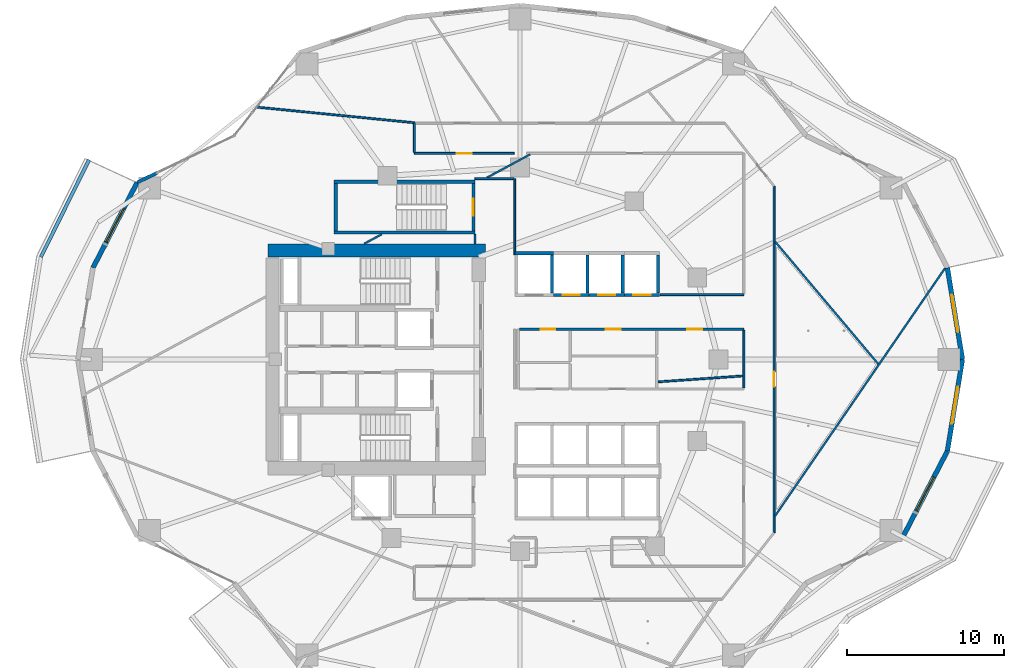
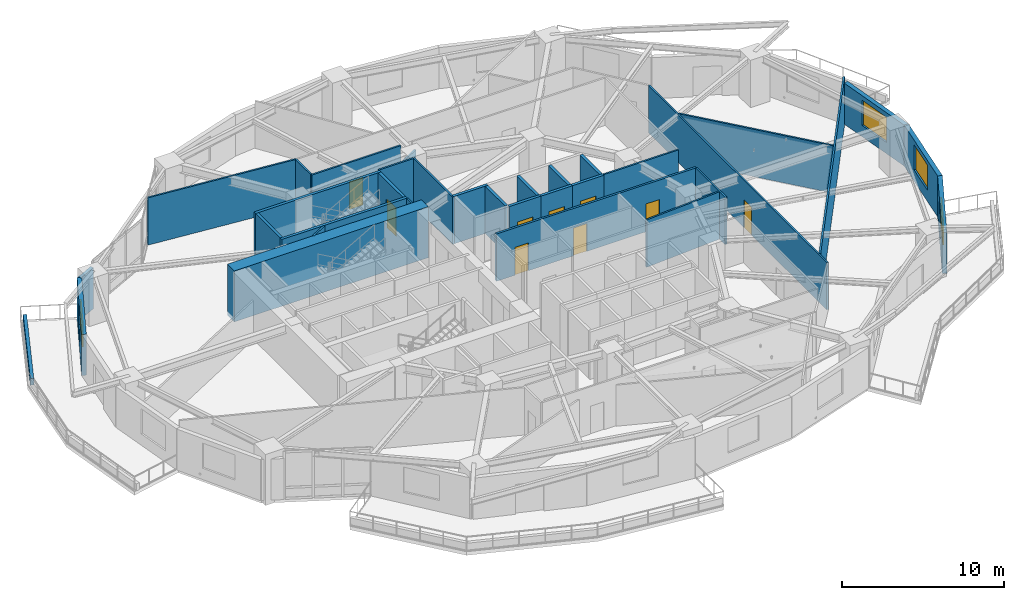
# One storey, part 9 of 19: 34 walls, 9 doors, 4 windows, 13 openings.
"""IFC4 building model written with IfcOpenShell, lengths in metres."""

from ifc_helpers import new_model, si_unit, direction, frame, frame_2d, origin, place, context, subcontext, project, spatial, rectangle, extrude, material, layer, layer_set, type_object, element, fill, save


model = new_model("IFC4")

# Units and contexts
model_context = context("Model", 3, precision=1e-05, world=origin(), true_north=direction((0.0, 1.0)))
body_context = subcontext(model_context, "Body", "Model", "MODEL_VIEW")
ifc_project = project(units=[si_unit("LENGTHUNIT", "METRE"), si_unit("AREAUNIT", "SQUARE_METRE"), si_unit("VOLUMEUNIT", "CUBIC_METRE"), si_unit("PLANEANGLEUNIT", "RADIAN"), si_unit("MASSUNIT", "GRAM", prefix="KILO")], contexts=[model_context])

# Site, building, storey
site_placement = place(None, origin())
site = spatial("IfcSite", under=ifc_project, at=site_placement, CompositionType="ELEMENT")
building_placement = place(site_placement, origin())
building = spatial("IfcBuilding", under=site, at=building_placement, Name="Kolvaren Gate Tower and Convention Centre", CompositionType="ELEMENT")
storey_placement = place(building_placement, frame((0.0, 0.0, 38.050048828125)))
storey = spatial("IfcBuildingStorey", under=building, at=storey_placement, Name="L08", CompositionType="ELEMENT", Elevation=38.050048828125)

# Walls
ifc_material_1 = material(Name="Fire-Rated Acoustic Gypsum Stud Partition", Category="gypsum")
ifc_layer_1 = layer(ifc_material_1, 0.1201171875)
ifc_layer_set_1 = layer_set([ifc_layer_1], Name="Fire-Rated Acoustic Gypsum Stud Partition")
wall_type_1 = type_object("IfcWallType", Name="ARCH-WL-PART-120", PredefinedType="PARTITIONING", material=ifc_layer_set_1)
wall_1_placement = place(storey_placement, frame((29.780029296875, 33.639892578125, 0.0), z_axis=(0.0, 0.0, 1.0), x_axis=(0.0, 1.0, 0.0)))
element("IfcWall", 1, at=wall_1_placement, inside=storey, type_object=wall_type_1, Name="Interior Partition WL-L08-INT-024", PredefinedType="PARTITIONING", context=body_context, shape_type="SweptSolid", body=[
    extrude(rectangle(XDim=4.860107421875, YDim=0.1201171875, at=frame_2d((2.43017578125, 0.0))), origin(), (0.0, 0.0, 1.0), 3.570068359375),
])
wall_2_placement = place(storey_placement, frame((39.02001953125, 31.1201171875, 0.0), z_axis=(0.0, 0.0, 1.0), x_axis=(1.0, 0.0, 0.0)))
element("IfcWall", 2, at=wall_2_placement, inside=storey, type_object=wall_type_1, Name="Interior Partition WL-L08-INT-025", PredefinedType="PARTITIONING", context=body_context, shape_type="SweptSolid", body=[
    extrude(rectangle(XDim=5.330078125, YDim=0.1201171875, at=frame_2d((2.6650390625, 0.0))), origin(), (0.0, 0.0, 1.0), 3.570068359375),
])
wall_3_placement = place(storey_placement, frame((44.35009765625, 25.197021484375, 0.0), z_axis=(0.0, 0.0, 1.0), x_axis=(0.0, 1.0, 0.0)))
element("IfcWall", 3, at=wall_3_placement, inside=storey, type_object=wall_type_1, Name="Interior Partition WL-L08-INT-027", PredefinedType="PARTITIONING", context=body_context, shape_type="SweptSolid", body=[
    extrude(rectangle(XDim=3.64599609375, YDim=0.1201171875, at=frame_2d((1.822998046875, 0.0))), origin(), (0.0, 0.0, 1.0), 3.570068359375),
])

# Wall, opening, door
wall_4_placement = place(storey_placement, frame((23.39990234375, 40.10009765625, 0.0), z_axis=(0.0, 0.0, 1.0), x_axis=(1.0, 0.0, 0.0)))
wall_4 = element("IfcWall", 4, at=wall_4_placement, inside=storey, type_object=wall_type_1, Name="Interior Partition WL-L08-INT-029", PredefinedType="PARTITIONING", context=body_context, shape_type="SweptSolid", body=[
    extrude(rectangle(XDim=6.335205078125, YDim=0.1201171875, at=frame_2d((3.16748046875, 0.0))), origin(), (0.0, 0.0, 1.0), 3.570068359375),
])
opening_1_placement = place(wall_4_placement, frame((2.6923828125, 0.0, 0.0)))
opening_1 = element("IfcOpeningElement", 5, at=opening_1_placement, cuts=wall_4, Name="Opening DR-01", PredefinedType="OPENING", context=body_context, shape_type="SweptSolid", body=[
    extrude(rectangle(XDim=0.949951171875, YDim=2.10009765625, at=frame_2d((0.47509765625, 1.050048828125))), frame((0.0, 0.070068359375, 0.0), z_axis=(0.0, -1.0, 0.0), x_axis=(1.0, 0.0, 0.0)), (0.0, 0.0, 1.0), 0.14013671875),
])
ifc_material_2 = material(Name="Painted Architectural Steelwork ASTM A500 Grade C 345 MPa", Category="steel")
door_type_1 = type_object("IfcDoorType", Name="ARCH-DR-RISER-950", OperationType="SINGLE_SWING_RIGHT", PredefinedType="DOOR", material=ifc_material_2)
door_1_placement = place(opening_1_placement, origin())
door_1 = element("IfcDoor", 6, at=door_1_placement, inside=storey, type_object=door_type_1, Name="Conference and Training Seminar Room Door", OperationType="SINGLE_SWING_LEFT", OverallHeight=2.10009765625, OverallWidth=0.949951171875, PredefinedType="DOOR", context=body_context, shape_type="SweptSolid", body=[
    extrude(rectangle(XDim=0.949951171875, YDim=2.10009765625, at=frame_2d((0.47509765625, 1.050048828125))), frame((0.0, 0.02490234375, 0.0), z_axis=(0.0, -1.0, 0.0), x_axis=(1.0, 0.0, 0.0)), (0.0, 0.0, 1.0), 0.050048828125),
])
fill(opening_1, door_1)

# Wall
wall_5_placement = place(storey_placement, frame((23.39990234375, 40.162109375, 0.0), z_axis=(0.0, 0.0, 1.0), x_axis=(0.0, 1.0, 0.0)))
element("IfcWall", 7, at=wall_5_placement, inside=storey, type_object=wall_type_1, Name="Interior Partition WL-L08-INT-032", PredefinedType="PARTITIONING", context=body_context, shape_type="SweptSolid", body=[
    extrude(rectangle(XDim=1.885986328125, YDim=0.1201171875, at=frame_2d((0.94287109375, 0.0))), origin(), (0.0, 0.0, 1.0), 3.570068359375),
])

# Wall, opening, door
wall_6_placement = place(storey_placement, frame((46.27001953125, 15.98193359375, 0.0), z_axis=(0.0, 0.0, 1.0), x_axis=(0.0, 1.0, 0.0)))
wall_6 = element("IfcWall", 8, at=wall_6_placement, inside=storey, type_object=wall_type_1, Name="Interior Partition WL-L08-INT-035", PredefinedType="PARTITIONING", context=body_context, shape_type="SweptSolid", body=[
    extrude(rectangle(XDim=22.0361328125, YDim=0.1201171875, at=frame_2d((11.01806640625, 0.0))), origin(), (0.0, 0.0, 1.0), 3.570068359375),
])
opening_2_placement = place(wall_6_placement, frame((9.280029296875, 0.0, 0.0)))
opening_2 = element("IfcOpeningElement", 9, at=opening_2_placement, cuts=wall_6, Name="Opening DR-01", PredefinedType="OPENING", context=body_context, shape_type="SweptSolid", body=[
    extrude(rectangle(XDim=0.949951171875, YDim=2.10009765625, at=frame_2d((0.47509765625, 1.050048828125))), frame((0.0, 0.070068359375, 0.0), z_axis=(0.0, -1.0, 0.0), x_axis=(1.0, 0.0, 0.0)), (0.0, 0.0, 1.0), 0.14013671875),
])
door_2_placement = place(opening_2_placement, origin())
door_2 = element("IfcDoor", 10, at=door_2_placement, inside=storey, type_object=door_type_1, Name="Strategy Huddle Meeting Room Door", OperationType="SINGLE_SWING_LEFT", OverallHeight=2.10009765625, OverallWidth=0.949951171875, PredefinedType="DOOR", context=body_context, shape_type="SweptSolid", body=[
    extrude(rectangle(XDim=0.949951171875, YDim=2.10009765625, at=frame_2d((0.47509765625, 1.050048828125))), frame((0.0, 0.02490234375, 0.0), z_axis=(0.0, -1.0, 0.0), x_axis=(1.0, 0.0, 0.0)), (0.0, 0.0, 1.0), 0.050048828125),
])
fill(opening_2, door_2)

# Walls
wall_7_placement = place(storey_placement, frame((27.25, 34.35205078125, 0.0), z_axis=(0.0, 0.0, 1.0), x_axis=(0.0, 1.0, 0.0)))
element("IfcWall", 11, at=wall_7_placement, inside=storey, type_object=wall_type_1, Name="Interior Partition WL-L08-INT-041", PredefinedType="PARTITIONING", context=body_context, shape_type="SweptSolid", body=[
    extrude(rectangle(XDim=0.60595703125, YDim=0.1201171875, at=frame_2d((0.302978515625, 0.0))), origin(), (0.0, 0.0, 1.0), 3.570068359375),
])
wall_8_placement = place(storey_placement, frame((27.25, 38.5, 0.0), z_axis=(0.0, 0.0, 1.0), x_axis=(1.0, 0.0, 0.0)))
element("IfcWall", 12, at=wall_8_placement, inside=storey, type_object=wall_type_1, Name="Interior Partition WL-L08-INT-042", PredefinedType="PARTITIONING", context=body_context, shape_type="SweptSolid", body=[
    extrude(rectangle(XDim=2.468017578125, YDim=0.1201171875, at=frame_2d((1.23388671875, 0.0))), origin(), (0.0, 0.0, 1.0), 3.570068359375),
])
wall_9_placement = place(storey_placement, frame((20.198974609375, 34.35205078125, 0.0), z_axis=(0.0, 0.0, 1.0), x_axis=(0.880495630453, 0.474054263511, 0.0)))
element("IfcWall", 13, at=wall_9_placement, inside=storey, type_object=wall_type_1, Name="Interior Partition WL-L08-INT-051", PredefinedType="PARTITIONING", context=body_context, shape_type="SweptSolid", body=[
    extrude(rectangle(XDim=1.2783203125, YDim=0.1201171875, at=frame_2d((0.63916015625, 0.0))), origin(), (0.0, 0.0, 1.0), 3.570068359375),
])
wall_10_placement = place(storey_placement, frame((28.018798828125, 38.56201171875, 0.0), z_axis=(0.0, 0.0, 1.0), x_axis=(0.880483688628, 0.474076443267, 0.0)))
element("IfcWall", 14, at=wall_10_placement, inside=storey, type_object=wall_type_1, Name="Interior Partition WL-L08-INT-052", PredefinedType="PARTITIONING", context=body_context, shape_type="SweptSolid", body=[
    extrude(rectangle(XDim=3.113525390625, YDim=0.1201171875, at=frame_2d((1.556640625, 0.0))), origin(), (0.0, 0.0, 1.0), 2.933837890625),
])
wall_11_placement = place(storey_placement, frame((46.33203125, 17.04541015625, 0.0), z_axis=(0.0, 0.0, 1.0), x_axis=(0.565716902062, 0.824599531119, 0.0)))
element("IfcWall", 15, at=wall_11_placement, inside=storey, type_object=wall_type_1, Name="Interior Partition WL-L08-INT-058", PredefinedType="PARTITIONING", context=body_context, shape_type="SweptSolid", body=[
    extrude(rectangle(XDim=19.097900390625, YDim=0.1201171875, at=frame_2d((9.548828125, 0.0))), origin(), (0.0, 0.0, 1.0), 3.570068359375),
])
wall_12_placement = place(storey_placement, frame((46.33203125, 34.497314453125, 0.0), z_axis=(0.0, 0.0, 1.0), x_axis=(0.644329997074, -0.764747575917, 0.0)))
element("IfcWall", 16, at=wall_12_placement, inside=storey, type_object=wall_type_1, Name="Interior Partition WL-L08-INT-061", PredefinedType="PARTITIONING", context=body_context, shape_type="SweptSolid", body=[
    extrude(rectangle(XDim=10.177734375, YDim=0.1201171875, at=frame_2d((5.0888671875, 0.0))), origin(), (0.0, 0.0, 1.0), 3.570068359375),
])
wall_13_placement = place(storey_placement, frame((38.876953125, 25.5703125, 0.0), z_axis=(0.0, 0.0, 1.0), x_axis=(0.997563605061, 0.069762840094, 0.0)))
element("IfcWall", 17, at=wall_13_placement, inside=storey, type_object=wall_type_1, Name="Interior Partition WL-L08-INT-062", PredefinedType="PARTITIONING", context=body_context, shape_type="SweptSolid", body=[
    extrude(rectangle(XDim=5.42431640625, YDim=0.1201171875, at=frame_2d((2.712158203125, 0.0))), origin(), (0.0, 0.0, 1.0), 3.570068359375),
])
wall_14_placement = place(storey_placement, frame((13.39404296875, 43.03955078125, 0.0), z_axis=(0.0, 0.0, 1.0), x_axis=(0.995126223096, -0.09860933073, 0.0)))
element("IfcWall", 18, at=wall_14_placement, inside=storey, type_object=wall_type_1, Name="Interior Partition WL-L08-INT-064", PredefinedType="PARTITIONING", context=body_context, shape_type="SweptSolid", body=[
    extrude(rectangle(XDim=10.054443359375, YDim=0.1201171875, at=frame_2d((5.02734375, 0.0))), origin(), (0.0, 0.0, 1.0), 3.570068359375),
])
ifc_material_3 = material(Name="Bogota Sabana Bush-Hammered Sandstone Cladding", Category="masonry")
ifc_layer_2 = layer(ifc_material_3, 0.219970703125)
ifc_layer_set_2 = layer_set([ifc_layer_2], Name="Bogota Sabana Bush-Hammered Sandstone Cladding")
wall_type_2 = type_object("IfcWallType", Name="ARCH-WL-PIER-220", PredefinedType="SOLIDWALL", material=ifc_layer_set_2)
wall_15_placement = place(storey_placement, frame((5.76806640625, 38.25, 0.0), z_axis=(0.0, 0.0, 1.0), x_axis=(0.90131879969, 0.433156347438, 0.0)))
element("IfcWall", 19, at=wall_15_placement, inside=storey, type_object=wall_type_2, Name="Tower L08 Unitised Curtain Wall CW-OFF-UNIT Bay 09 Left Column Pier Wrap", PredefinedType="SOLIDWALL", context=body_context, shape_type="SweptSolid", body=[
    extrude(rectangle(XDim=1.380859375, YDim=0.219970703125, at=frame_2d((0.6904296875, 0.0))), origin(), (0.0, 0.0, 1.0), 3.093017578125),
])
ifc_material_4 = material(Name="Piedmont Cream Honed Limestone Cladding", Category="masonry")
ifc_layer_3 = layer(ifc_material_4, 0.219970703125)
ifc_layer_set_3 = layer_set([ifc_layer_3], Name="Piedmont Cream Honed Limestone Cladding")
wall_type_3 = type_object("IfcWallType", Name="ARCH-WL-PLANTER-220", PredefinedType="PARAPET", material=ifc_layer_set_3)
wall_16_placement = place(storey_placement, frame((-0.3544921875, 33.50244140625, 0.0), z_axis=(0.0, 0.0, 1.0), x_axis=(0.443578479433, 0.8962355341, 0.0)))
element("IfcWall", 20, at=wall_16_placement, inside=storey, type_object=wall_type_3, Name="Vertical-Forest Balcony Stone Planter Kerb PK-L08-2.1", PredefinedType="PARAPET", context=body_context, shape_type="SweptSolid", body=[
    extrude(rectangle(XDim=6.9111328125, YDim=0.219970703125, at=frame_2d((3.45556640625, 0.0))), origin(), (0.0, 0.0, 1.0), 0.52001953125),
])
ifc_material_5 = material(Name="Autoclaved Aerated Masonry Blockwork Class 4 (4.0 MPa)", Category="masonry")
ifc_layer_4 = layer(ifc_material_5, 0.199951171875)
ifc_layer_set_4 = layer_set([ifc_layer_4], Name="Autoclaved Aerated Masonry Blockwork Class 4 (4.0 MPa)")
wall_type_4 = type_object("IfcWallType", Name="ARCH-WL-SHAFT-200", PredefinedType="SOLIDWALL", material=ifc_layer_set_4)
wall_17_placement = place(storey_placement, frame((29.800048828125, 33.75, 0.0), z_axis=(0.0, 0.0, 1.0), x_axis=(1.0, 0.0, 0.0)))
element("IfcWall", 21, at=wall_17_placement, inside=storey, type_object=wall_type_4, Name="Elevator PL-01 L08 Fire Shaft Wall N", PredefinedType="SOLIDWALL", context=body_context, shape_type="SweptSolid", body=[
    extrude(rectangle(XDim=2.449951171875, YDim=0.199951171875, at=frame_2d((1.22509765625, 0.0))), origin(), (0.0, 0.0, 1.0), 3.570068359375),
])
wall_18_placement = place(storey_placement, frame((32.14990234375, 31.2099609375, 0.0), z_axis=(0.0, 0.0, 1.0), x_axis=(0.0, 1.0, 0.0)))
element("IfcWall", 22, at=wall_18_placement, inside=storey, type_object=wall_type_4, Name="Elevator PL-01 L08 Fire Shaft Wall E", PredefinedType="SOLIDWALL", context=body_context, shape_type="SweptSolid", body=[
    extrude(rectangle(XDim=2.429931640625, YDim=0.199951171875, at=frame_2d((1.21484375, 0.0))), origin(), (0.0, 0.0, 1.0), 3.570068359375),
])

# Wall, opening, door
wall_19_placement = place(storey_placement, frame((32.25, 31.10009765625, 0.0), z_axis=(0.0, 0.0, 1.0), x_axis=(1.0, 0.0, 0.0)))
wall_19 = element("IfcWall", 23, at=wall_19_placement, inside=storey, type_object=wall_type_4, Name="Elevator PL-02 L08 Fire Shaft Wall S", PredefinedType="SOLIDWALL", context=body_context, shape_type="SweptSolid", body=[
    extrude(rectangle(XDim=2.25, YDim=0.199951171875, at=frame_2d((1.125, 0.0))), origin(), (0.0, 0.0, 1.0), 3.570068359375),
])
opening_3_placement = place(wall_19_placement, frame((0.574951171875, 0.0, 0.0)))
opening_3 = element("IfcOpeningElement", 24, at=opening_3_placement, cuts=wall_19, Name="Opening LD", PredefinedType="OPENING", context=body_context, shape_type="SweptSolid", body=[
    extrude(rectangle(XDim=1.10009765625, YDim=2.199951171875, at=frame_2d((0.550048828125, 1.10009765625))), frame((0.0, 0.10986328125, 0.0), z_axis=(0.0, -1.0, 0.0), x_axis=(1.0, 0.0, 0.0)), (0.0, 0.0, 1.0), 0.219970703125),
])
ifc_material_6 = material(Name="Brushed Stainless Steel Grade 316L", Category="steel")
door_type_2 = type_object("IfcDoorType", Name="ARCH-DR-LIFT-1100", OperationType="SLIDING_TO_LEFT", PredefinedType="DOOR", material=ifc_material_6)
door_3_placement = place(opening_3_placement, origin())
door_3 = element("IfcDoor", 25, at=door_3_placement, inside=storey, type_object=door_type_2, Name="Elevator PL-02 L08 Sliding Landing Door", OperationType="SLIDING_TO_LEFT", OverallHeight=2.199951171875, OverallWidth=1.10009765625, PredefinedType="DOOR", context=body_context, shape_type="SweptSolid", body=[
    extrude(rectangle(XDim=1.10009765625, YDim=2.199951171875, at=frame_2d((0.550048828125, 1.10009765625))), frame((0.0, 0.02490234375, 0.0), z_axis=(0.0, -1.0, 0.0), x_axis=(1.0, 0.0, 0.0)), (0.0, 0.0, 1.0), 0.050048828125),
])
fill(opening_3, door_3)

# Wall
wall_20_placement = place(storey_placement, frame((34.39990234375, 31.2099609375, 0.0), z_axis=(0.0, 0.0, 1.0), x_axis=(0.0, 1.0, 0.0)))
element("IfcWall", 26, at=wall_20_placement, inside=storey, type_object=wall_type_4, Name="Elevator PL-02 L08 Fire Shaft Wall E", PredefinedType="SOLIDWALL", context=body_context, shape_type="SweptSolid", body=[
    extrude(rectangle(XDim=2.429931640625, YDim=0.199951171875, at=frame_2d((1.21484375, 0.0))), origin(), (0.0, 0.0, 1.0), 3.570068359375),
])

# Wall, opening, door
wall_21_placement = place(storey_placement, frame((34.5, 31.10009765625, 0.0), z_axis=(0.0, 0.0, 1.0), x_axis=(1.0, 0.0, 0.0)))
wall_21 = element("IfcWall", 27, at=wall_21_placement, inside=storey, type_object=wall_type_4, Name="Elevator PL-03 L08 Fire Shaft Wall S", PredefinedType="SOLIDWALL", context=body_context, shape_type="SweptSolid", body=[
    extrude(rectangle(XDim=2.25, YDim=0.199951171875, at=frame_2d((1.125, 0.0))), origin(), (0.0, 0.0, 1.0), 3.570068359375),
])
opening_4_placement = place(wall_21_placement, frame((0.574951171875, 0.0, 0.0)))
opening_4 = element("IfcOpeningElement", 28, at=opening_4_placement, cuts=wall_21, Name="Opening LD", PredefinedType="OPENING", context=body_context, shape_type="SweptSolid", body=[
    extrude(rectangle(XDim=1.10009765625, YDim=2.199951171875, at=frame_2d((0.550048828125, 1.10009765625))), frame((0.0, 0.10986328125, 0.0), z_axis=(0.0, -1.0, 0.0), x_axis=(1.0, 0.0, 0.0)), (0.0, 0.0, 1.0), 0.219970703125),
])
door_4_placement = place(opening_4_placement, origin())
door_4 = element("IfcDoor", 29, at=door_4_placement, inside=storey, type_object=door_type_2, Name="Elevator PL-03 L08 Sliding Landing Door", OperationType="SLIDING_TO_LEFT", OverallHeight=2.199951171875, OverallWidth=1.10009765625, PredefinedType="DOOR", context=body_context, shape_type="SweptSolid", body=[
    extrude(rectangle(XDim=1.10009765625, YDim=2.199951171875, at=frame_2d((0.550048828125, 1.10009765625))), frame((0.0, 0.02490234375, 0.0), z_axis=(0.0, -1.0, 0.0), x_axis=(1.0, 0.0, 0.0)), (0.0, 0.0, 1.0), 0.050048828125),
])
fill(opening_4, door_4)

# Wall
wall_22_placement = place(storey_placement, frame((36.64990234375, 31.2099609375, 0.0), z_axis=(0.0, 0.0, 1.0), x_axis=(0.0, 1.0, 0.0)))
element("IfcWall", 30, at=wall_22_placement, inside=storey, type_object=wall_type_4, Name="Elevator PL-03 L08 Fire Shaft Wall E", PredefinedType="SOLIDWALL", context=body_context, shape_type="SweptSolid", body=[
    extrude(rectangle(XDim=2.429931640625, YDim=0.199951171875, at=frame_2d((1.21484375, 0.0))), origin(), (0.0, 0.0, 1.0), 3.570068359375),
])

# Wall, opening, door
wall_23_placement = place(storey_placement, frame((36.75, 31.10009765625, 0.0), z_axis=(0.0, 0.0, 1.0), x_axis=(1.0, 0.0, 0.0)))
wall_23 = element("IfcWall", 31, at=wall_23_placement, inside=storey, type_object=wall_type_4, Name="Elevator PL-04 L08 Fire Shaft Wall S", PredefinedType="SOLIDWALL", context=body_context, shape_type="SweptSolid", body=[
    extrude(rectangle(XDim=2.25, YDim=0.199951171875, at=frame_2d((1.125, 0.0))), origin(), (0.0, 0.0, 1.0), 3.570068359375),
])
opening_5_placement = place(wall_23_placement, frame((0.574951171875, 0.0, 0.0)))
opening_5 = element("IfcOpeningElement", 32, at=opening_5_placement, cuts=wall_23, Name="Opening LD", PredefinedType="OPENING", context=body_context, shape_type="SweptSolid", body=[
    extrude(rectangle(XDim=1.10009765625, YDim=2.199951171875, at=frame_2d((0.550048828125, 1.10009765625))), frame((0.0, 0.10986328125, 0.0), z_axis=(0.0, -1.0, 0.0), x_axis=(1.0, 0.0, 0.0)), (0.0, 0.0, 1.0), 0.219970703125),
])
door_5_placement = place(opening_5_placement, origin())
door_5 = element("IfcDoor", 33, at=door_5_placement, inside=storey, type_object=door_type_2, Name="Elevator PL-04 L08 Sliding Landing Door", OperationType="SLIDING_TO_LEFT", OverallHeight=2.199951171875, OverallWidth=1.10009765625, PredefinedType="DOOR", context=body_context, shape_type="SweptSolid", body=[
    extrude(rectangle(XDim=1.10009765625, YDim=2.199951171875, at=frame_2d((0.550048828125, 1.10009765625))), frame((0.0, 0.02490234375, 0.0), z_axis=(0.0, -1.0, 0.0), x_axis=(1.0, 0.0, 0.0)), (0.0, 0.0, 1.0), 0.050048828125),
])
fill(opening_5, door_5)

# Wall
wall_24_placement = place(storey_placement, frame((38.89990234375, 31.2099609375, 0.0), z_axis=(0.0, 0.0, 1.0), x_axis=(0.0, 1.0, 0.0)))
element("IfcWall", 34, at=wall_24_placement, inside=storey, type_object=wall_type_4, Name="Elevator PL-04 L08 Fire Shaft Wall E", PredefinedType="SOLIDWALL", context=body_context, shape_type="SweptSolid", body=[
    extrude(rectangle(XDim=2.429931640625, YDim=0.199951171875, at=frame_2d((1.21484375, 0.0))), origin(), (0.0, 0.0, 1.0), 3.570068359375),
])

# Wall, opening, window
ifc_layer_5 = layer(ifc_material_4, 0.300048828125)
ifc_layer_set_5 = layer_set([ifc_layer_5], Name="Piedmont Cream Honed Limestone Cladding")
wall_type_5 = type_object("IfcWallType", Name="ARCH-WL-STONE-300", PredefinedType="SOLIDWALL", material=ifc_layer_set_5)
wall_25_placement = place(storey_placement, frame((57.291748046875, 32.823486328125, 0.0), z_axis=(0.0, 0.0, 1.0), x_axis=(0.162366057843, -0.98673059305, 0.0)))
wall_25 = element("IfcWall", 35, at=wall_25_placement, inside=storey, type_object=wall_type_5, Name="Tower L08 Honed Stone Spandrel Wall EW-00", PredefinedType="SOLIDWALL", context=body_context, shape_type="SweptSolid", body=[
    extrude(rectangle(XDim=5.90185546875, YDim=0.300048828125, at=frame_2d((2.950927734375, 0.0))), origin(), (0.0, 0.0, 1.0), 3.093017578125),
])
opening_6_placement = place(wall_25_placement, frame((1.7509765625, 0.0, 0.85009765625)))
opening_6 = element("IfcOpeningElement", 36, at=opening_6_placement, cuts=wall_25, Name="Opening W-01", PredefinedType="OPENING", context=body_context, shape_type="SweptSolid", body=[
    extrude(rectangle(XDim=2.39990234375, YDim=1.89990234375, at=frame_2d((1.199951171875, 0.949951171875))), frame((0.0, 0.159912109375, 0.0), z_axis=(0.0, -1.0, 0.0), x_axis=(1.0, 0.0, 0.0)), (0.0, 0.0, 1.0), 0.320068359375),
])
ifc_material_7 = material(Name="Low-E Triple Insulated Glazing Unit 44 mm", Category="glass")
window_type = type_object("IfcWindowType", Name="ARCH-WN-OFF-2400", PartitioningType="SINGLE_PANEL", PredefinedType="WINDOW", material=ifc_material_7)
window_1_placement = place(opening_6_placement, origin())
window_1 = element("IfcWindow", 37, at=window_1_placement, inside=storey, type_object=window_type, Name="Tower L08 Punched Stone Facade Window W-00", OverallHeight=1.89990234375, OverallWidth=2.39990234375, PartitioningType="SINGLE_PANEL", PredefinedType="WINDOW", context=body_context, shape_type="SweptSolid", body=[
    extrude(rectangle(XDim=2.39990234375, YDim=1.89990234375, at=frame_2d((1.199951171875, 0.949951171875))), frame((0.0, 0.030029296875, 0.0), z_axis=(0.0, -1.0, 0.0), x_axis=(1.0, 0.0, 0.0)), (0.0, 0.0, 1.0), 0.06005859375),
])
fill(opening_6, window_1)

wall_26_placement = place(storey_placement, frame((2.958251953125, 32.823486328125, 0.0), z_axis=(0.0, 0.0, 1.0), x_axis=(0.459809804413, 0.88801742312, 0.0)))
wall_26 = element("IfcWall", 38, at=wall_26_placement, inside=storey, type_object=wall_type_5, Name="Tower L08 Honed Stone Spandrel Wall EW-10", PredefinedType="SOLIDWALL", context=body_context, shape_type="SweptSolid", body=[
    extrude(rectangle(XDim=6.11083984375, YDim=0.300048828125, at=frame_2d((3.055419921875, 0.0))), origin(), (0.0, 0.0, 1.0), 3.093017578125),
])
opening_7_placement = place(wall_26_placement, frame((1.85498046875, 0.0, 0.85009765625)))
opening_7 = element("IfcOpeningElement", 39, at=opening_7_placement, cuts=wall_26, Name="Opening W-01", PredefinedType="OPENING", context=body_context, shape_type="SweptSolid", body=[
    extrude(rectangle(XDim=2.39990234375, YDim=1.89990234375, at=frame_2d((1.199951171875, 0.949951171875))), frame((0.0, 0.159912109375, 0.0), z_axis=(0.0, -1.0, 0.0), x_axis=(1.0, 0.0, 0.0)), (0.0, 0.0, 1.0), 0.320068359375),
])
window_2_placement = place(opening_7_placement, origin())
window_2 = element("IfcWindow", 40, at=window_2_placement, inside=storey, type_object=window_type, Name="Tower L08 Punched Stone Facade Window W-10", OverallHeight=1.89990234375, OverallWidth=2.39990234375, PartitioningType="SINGLE_PANEL", PredefinedType="WINDOW", context=body_context, shape_type="SweptSolid", body=[
    extrude(rectangle(XDim=2.39990234375, YDim=1.89990234375, at=frame_2d((1.199951171875, 0.949951171875))), frame((0.0, 0.030029296875, 0.0), z_axis=(0.0, -1.0, 0.0), x_axis=(1.0, 0.0, 0.0)), (0.0, 0.0, 1.0), 0.06005859375),
])
fill(opening_7, window_2)

wall_27_placement = place(storey_placement, frame((54.48193359375, 15.75, 0.0), z_axis=(0.0, 0.0, 1.0), x_axis=(0.459809804413, 0.88801742312, 0.0)))
wall_27 = element("IfcWall", 41, at=wall_27_placement, inside=storey, type_object=wall_type_5, Name="Tower L08 Honed Stone Spandrel Wall EW-22", PredefinedType="SOLIDWALL", context=body_context, shape_type="SweptSolid", body=[
    extrude(rectangle(XDim=6.11083984375, YDim=0.300048828125, at=frame_2d((3.055419921875, 0.0))), origin(), (0.0, 0.0, 1.0), 3.093017578125),
])
opening_8_placement = place(wall_27_placement, frame((1.85498046875, 0.0, 0.85009765625)))
opening_8 = element("IfcOpeningElement", 42, at=opening_8_placement, cuts=wall_27, Name="Opening W-01", PredefinedType="OPENING", context=body_context, shape_type="SweptSolid", body=[
    extrude(rectangle(XDim=2.39990234375, YDim=1.89990234375, at=frame_2d((1.199951171875, 0.949951171875))), frame((0.0, 0.159912109375, 0.0), z_axis=(0.0, -1.0, 0.0), x_axis=(1.0, 0.0, 0.0)), (0.0, 0.0, 1.0), 0.320068359375),
])
window_3_placement = place(opening_8_placement, origin())
window_3 = element("IfcWindow", 43, at=window_3_placement, inside=storey, type_object=window_type, Name="Tower L08 Punched Stone Facade Window W-22", OverallHeight=1.89990234375, OverallWidth=2.39990234375, PartitioningType="SINGLE_PANEL", PredefinedType="WINDOW", context=body_context, shape_type="SweptSolid", body=[
    extrude(rectangle(XDim=2.39990234375, YDim=1.89990234375, at=frame_2d((1.199951171875, 0.949951171875))), frame((0.0, 0.030029296875, 0.0), z_axis=(0.0, -1.0, 0.0), x_axis=(1.0, 0.0, 0.0)), (0.0, 0.0, 1.0), 0.06005859375),
])
fill(opening_8, window_3)

wall_28_placement = place(storey_placement, frame((57.291748046875, 21.176513671875, 0.0), z_axis=(0.0, 0.0, 1.0), x_axis=(0.162366057843, 0.98673059305, 0.0)))
wall_28 = element("IfcWall", 44, at=wall_28_placement, inside=storey, type_object=wall_type_5, Name="Tower L08 Honed Stone Spandrel Wall EW-23", PredefinedType="SOLIDWALL", context=body_context, shape_type="SweptSolid", body=[
    extrude(rectangle(XDim=5.90185546875, YDim=0.300048828125, at=frame_2d((2.950927734375, 0.0))), origin(), (0.0, 0.0, 1.0), 3.093017578125),
])
opening_9_placement = place(wall_28_placement, frame((1.7509765625, 0.0, 0.85009765625)))
opening_9 = element("IfcOpeningElement", 45, at=opening_9_placement, cuts=wall_28, Name="Opening W-01", PredefinedType="OPENING", context=body_context, shape_type="SweptSolid", body=[
    extrude(rectangle(XDim=2.39990234375, YDim=1.89990234375, at=frame_2d((1.199951171875, 0.949951171875))), frame((0.0, 0.159912109375, 0.0), z_axis=(0.0, -1.0, 0.0), x_axis=(1.0, 0.0, 0.0)), (0.0, 0.0, 1.0), 0.320068359375),
])
window_4_placement = place(opening_9_placement, origin())
window_4 = element("IfcWindow", 46, at=window_4_placement, inside=storey, type_object=window_type, Name="Tower L08 Punched Stone Facade Window W-23", OverallHeight=1.89990234375, OverallWidth=2.39990234375, PartitioningType="SINGLE_PANEL", PredefinedType="WINDOW", context=body_context, shape_type="SweptSolid", body=[
    extrude(rectangle(XDim=2.39990234375, YDim=1.89990234375, at=frame_2d((1.199951171875, 0.949951171875))), frame((0.0, 0.030029296875, 0.0), z_axis=(0.0, -1.0, 0.0), x_axis=(1.0, 0.0, 0.0)), (0.0, 0.0, 1.0), 0.06005859375),
])
fill(opening_9, window_4)

# Wall, openings, doors
ifc_material_8 = material(Name="Moisture-Resistant Cement-Board Acoustic Partition", Category="gypsum")
ifc_layer_6 = layer(ifc_material_8, 0.14990234375)
ifc_layer_set_6 = layer_set([ifc_layer_6], Name="Moisture-Resistant Cement-Board Acoustic Partition")
wall_type_6 = type_object("IfcWallType", Name="ARCH-WL-WET-150", PredefinedType="PARTITIONING", material=ifc_layer_set_6)
wall_29_placement = place(storey_placement, frame((30.076904296875, 28.919921875, 0.0), z_axis=(0.0, 0.0, 1.0), x_axis=(1.0, 0.0, 0.0)))
wall_29 = element("IfcWall", 47, at=wall_29_placement, inside=storey, type_object=wall_type_6, Name="Interior Partition WL-L08-INT-017", PredefinedType="PARTITIONING", context=body_context, shape_type="SweptSolid", body=[
    extrude(rectangle(XDim=14.273193359375, YDim=0.14990234375, at=frame_2d((7.13671875, 0.0))), origin(), (0.0, 0.0, 1.0), 3.570068359375),
])
opening_10_placement = place(wall_29_placement, frame((1.341552734375, 0.0, 0.0)))
opening_10 = element("IfcOpeningElement", 48, at=opening_10_placement, cuts=wall_29, Name="Opening DR-01", PredefinedType="OPENING", context=body_context, shape_type="SweptSolid", body=[
    extrude(rectangle(XDim=0.949951171875, YDim=2.10009765625, at=frame_2d((0.47509765625, 1.050048828125))), frame((0.0, 0.0849609375, 0.0), z_axis=(0.0, -1.0, 0.0), x_axis=(1.0, 0.0, 0.0)), (0.0, 0.0, 1.0), 0.169921875),
])
opening_11_placement = place(wall_29_placement, frame((5.498046875, 0.0, 0.0)))
opening_11 = element("IfcOpeningElement", 49, at=opening_11_placement, cuts=wall_29, Name="Opening DR-01", PredefinedType="OPENING", context=body_context, shape_type="SweptSolid", body=[
    extrude(rectangle(XDim=0.949951171875, YDim=2.10009765625, at=frame_2d((0.47509765625, 1.050048828125))), frame((0.0, 0.0849609375, 0.0), z_axis=(0.0, -1.0, 0.0), x_axis=(1.0, 0.0, 0.0)), (0.0, 0.0, 1.0), 0.169921875),
])
opening_12_placement = place(wall_29_placement, frame((10.677978515625, 0.0, 0.0)))
opening_12 = element("IfcOpeningElement", 50, at=opening_12_placement, cuts=wall_29, Name="Opening DR-01", PredefinedType="OPENING", context=body_context, shape_type="SweptSolid", body=[
    extrude(rectangle(XDim=0.949951171875, YDim=2.10009765625, at=frame_2d((0.47509765625, 1.050048828125))), frame((0.0, 0.0849609375, 0.0), z_axis=(0.0, -1.0, 0.0), x_axis=(1.0, 0.0, 0.0)), (0.0, 0.0, 1.0), 0.169921875),
])
door_6_placement = place(opening_10_placement, origin())
door_6 = element("IfcDoor", 51, at=door_6_placement, inside=storey, type_object=door_type_1, Name="Accessible North Washroom Door", OperationType="SINGLE_SWING_RIGHT", OverallHeight=2.10009765625, OverallWidth=0.949951171875, PredefinedType="DOOR", context=body_context, shape_type="SweptSolid", body=[
    extrude(rectangle(XDim=0.949951171875, YDim=2.10009765625, at=frame_2d((0.47509765625, 1.050048828125))), frame((0.0, 0.02490234375, 0.0), z_axis=(0.0, -1.0, 0.0), x_axis=(1.0, 0.0, 0.0)), (0.0, 0.0, 1.0), 0.050048828125),
])
fill(opening_10, door_6)
door_7_placement = place(opening_11_placement, origin())
door_7 = element("IfcDoor", 52, at=door_7_placement, inside=storey, type_object=door_type_1, Name="Floor Janitor and Supply Store Door", OperationType="SINGLE_SWING_RIGHT", OverallHeight=2.10009765625, OverallWidth=0.949951171875, PredefinedType="DOOR", context=body_context, shape_type="SweptSolid", body=[
    extrude(rectangle(XDim=0.949951171875, YDim=2.10009765625, at=frame_2d((0.47509765625, 1.050048828125))), frame((0.0, 0.02490234375, 0.0), z_axis=(0.0, -1.0, 0.0), x_axis=(1.0, 0.0, 0.0)), (0.0, 0.0, 1.0), 0.050048828125),
])
fill(opening_11, door_7)
door_8_placement = place(opening_12_placement, origin())
door_8 = element("IfcDoor", 53, at=door_8_placement, inside=storey, type_object=door_type_1, Name="Tea Pantry Door", OperationType="SINGLE_SWING_RIGHT", OverallHeight=2.10009765625, OverallWidth=0.949951171875, PredefinedType="DOOR", context=body_context, shape_type="SweptSolid", body=[
    extrude(rectangle(XDim=0.949951171875, YDim=2.10009765625, at=frame_2d((0.47509765625, 1.050048828125))), frame((0.0, 0.02490234375, 0.0), z_axis=(0.0, -1.0, 0.0), x_axis=(1.0, 0.0, 0.0)), (0.0, 0.0, 1.0), 0.050048828125),
])
fill(opening_12, door_8)

# Wall
ifc_material_9 = material(Name="Concrete C70/85", Category="concrete")
ifc_layer_7 = layer(ifc_material_9, 0.85009765625)
ifc_layer_set_7 = layer_set([ifc_layer_7], Name="Concrete C70/85")
wall_type_7 = type_object("IfcWallType", Name="STR-WL-CORE-850", PredefinedType="SHEAR", material=ifc_layer_set_7)
wall_30_placement = place(storey_placement, frame((14.074951171875, 33.925048828125, -0.280029296875), z_axis=(0.0, 0.0, 1.0), x_axis=(1.0, 0.0, 0.0)))
element("IfcWall", 54, at=wall_30_placement, inside=storey, type_object=wall_type_7, Name="Tower L08 Offset Core Shear Wall N", PredefinedType="SHEAR", context=body_context, shape_type="SweptSolid", body=[
    extrude(rectangle(XDim=13.85009765625, YDim=0.85009765625, at=frame_2d((6.925048828125, 0.0))), origin(), (0.0, 0.0, 1.0), 3.85009765625),
])

# Wall, opening, door
ifc_material_10 = material(Name="Concrete C50/60", Category="concrete")
ifc_layer_8 = layer(ifc_material_10, 0.199951171875)
ifc_layer_set_8 = layer_set([ifc_layer_8], Name="Concrete C50/60")
wall_type_8 = type_object("IfcWallType", Name="STR-WL-SHAFT-200", PredefinedType="SHEAR", material=ifc_layer_set_8)
wall_31_placement = place(storey_placement, frame((27.14990234375, 35.159912109375, -0.280029296875), z_axis=(0.0, 0.0, 1.0), x_axis=(0.0, 1.0, 0.0)))
wall_31 = element("IfcWall", 55, at=wall_31_placement, inside=storey, type_object=wall_type_8, Name="Tower Mid-Zone Exit Stair ST-T3 L08 Structural Shear Enclosure Wall NEAR", PredefinedType="SHEAR", context=body_context, shape_type="SweptSolid", body=[
    extrude(rectangle(XDim=3.0400390625, YDim=0.199951171875, at=frame_2d((1.52001953125, 0.0))), origin(), (0.0, 0.0, 1.0), 3.85009765625),
])
opening_13_placement = place(wall_31_placement, frame((0.969970703125, 0.0, 0.280029296875)))
opening_13 = element("IfcOpeningElement", 56, at=opening_13_placement, cuts=wall_31, Name="Opening DS-01", PredefinedType="OPENING", context=body_context, shape_type="SweptSolid", body=[
    extrude(rectangle(XDim=1.10009765625, YDim=2.14990234375, at=frame_2d((0.550048828125, 1.074951171875))), frame((0.0, 0.10986328125, 0.0), z_axis=(0.0, -1.0, 0.0), x_axis=(1.0, 0.0, 0.0)), (0.0, 0.0, 1.0), 0.219970703125),
])
door_type_3 = type_object("IfcDoorType", Name="ARCH-DR-STAIR-1100", OperationType="SINGLE_SWING_LEFT", PredefinedType="DOOR", material=ifc_material_2)
door_9_placement = place(opening_13_placement, origin())
door_9 = element("IfcDoor", 57, at=door_9_placement, inside=storey, type_object=door_type_3, Name="Tower Mid-Zone Exit Stair ST-T3 L08 Fire Exit Stair Door", OperationType="SINGLE_SWING_RIGHT", OverallHeight=2.14990234375, OverallWidth=1.10009765625, PredefinedType="DOOR", context=body_context, shape_type="SweptSolid", body=[
    extrude(rectangle(XDim=1.10009765625, YDim=2.14990234375, at=frame_2d((0.550048828125, 1.074951171875))), frame((0.0, 0.02490234375, 0.0), z_axis=(0.0, -1.0, 0.0), x_axis=(1.0, 0.0, 0.0)), (0.0, 0.0, 1.0), 0.050048828125),
])
fill(opening_13, door_9)

# Walls
wall_32_placement = place(storey_placement, frame((18.39990234375, 35.159912109375, -0.280029296875), z_axis=(0.0, 0.0, 1.0), x_axis=(0.0, 1.0, 0.0)))
element("IfcWall", 58, at=wall_32_placement, inside=storey, type_object=wall_type_8, Name="Tower Mid-Zone Exit Stair ST-T3 L08 Structural Shear Enclosure Wall FAR", PredefinedType="SHEAR", context=body_context, shape_type="SweptSolid", body=[
    extrude(rectangle(XDim=3.0400390625, YDim=0.199951171875, at=frame_2d((1.52001953125, 0.0))), origin(), (0.0, 0.0, 1.0), 3.85009765625),
])
for number, where, z_axis, x_axis, name in (
    (59, (18.300048828125, 38.300048828125, -0.280029296875), (0.0, 0.0, 1.0), (1.0, 0.0, 0.0), "Tower Mid-Zone Exit Stair ST-T3 L08 Structural Shear Enclosure Wall LEFT"),
    (60, (18.300048828125, 35.06005859375, -0.280029296875), (0.0, 0.0, 1.0), (1.0, 0.0, 0.0), "Tower Mid-Zone Exit Stair ST-T3 L08 Structural Shear Enclosure Wall RGHT"),
):
    element("IfcWall", number, at=place(storey_placement, frame(where, z_axis=z_axis, x_axis=x_axis)), inside=storey, type_object=wall_type_8, Name=name, PredefinedType="SHEAR", context=body_context, shape_type="SweptSolid", body=[
        extrude(rectangle(XDim=8.949951171875, YDim=0.199951171875, at=frame_2d((4.47509765625, 0.0))), origin(), (0.0, 0.0, 1.0), 3.85009765625),
    ])

save(model, "model.ifc")
